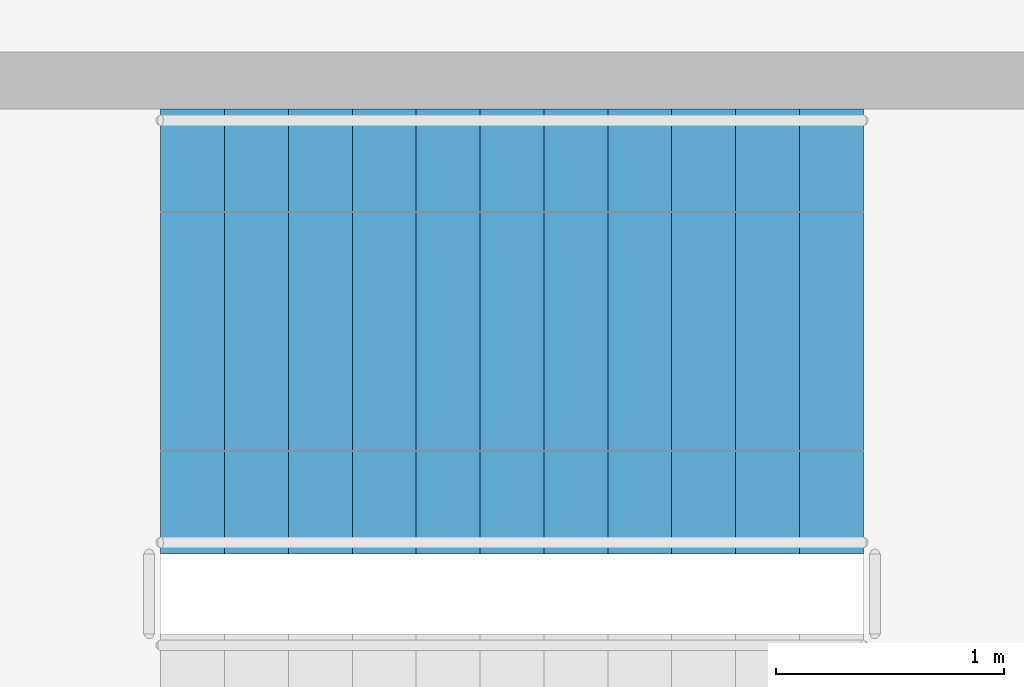
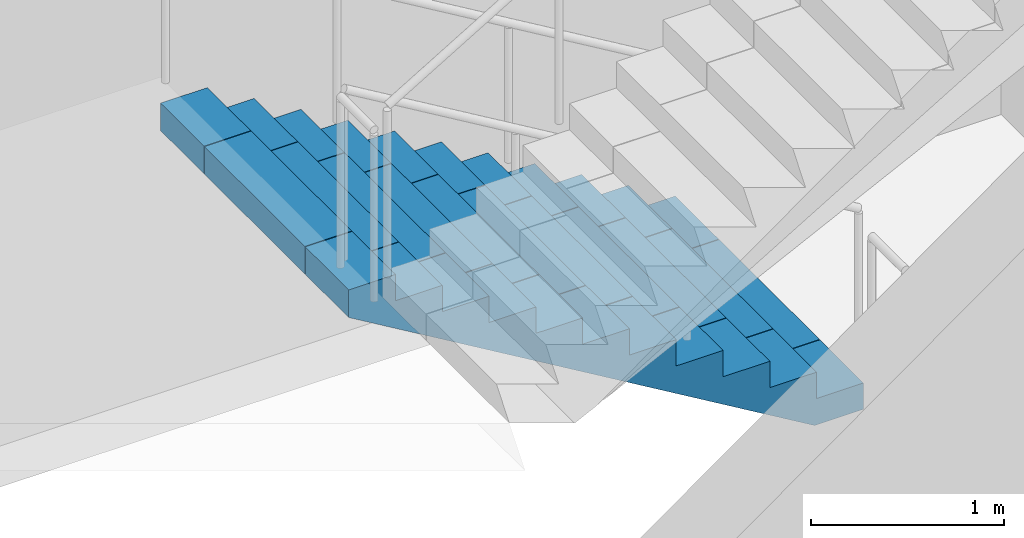
# One storey, part 12 of 13: 1 stair flight, 1 element without a shape of its own.
"""IFC4 building model written with IfcOpenShell, lengths in metres."""

import ifcopenshell
import ifcopenshell.guid

model = None  # the IFC model being written
_history = None  # IfcOwnerHistory: only IFC2X3 demands one
_inside = {}  # id of a spatial element -> (the spatial element, [elements in it])
_under = {}  # id of a project, library or spatial element -> (it, [spatial elements below it])
_declared = {}  # id of a project -> (the project, [libraries it declares])
_typed = {}  # id of a type object -> (the type object, [elements of that type])
_made_of = {}  # id of a material, layer set ... -> (it, [elements and type objects made of it])


def new_model(schema):
    """Start an empty IFC model of exactly this schema.

    Asked for "IFC4X3", IfcOpenShell would pick the latest addendum, in which some entities
    have other attributes; the version numbers below select the first issue.
    IFC2X3 requires an IfcOwnerHistory on every rooted entity: one is made here for all.
    """
    global model, _history
    if schema == "IFC4X3":
        model = ifcopenshell.file(schema_version=(4, 3, 0, 0))
    else:
        model = ifcopenshell.file(schema=schema)
    _inside.clear()
    _under.clear()
    _declared.clear()
    _typed.clear()
    _made_of.clear()
    _history = None
    if model.schema == "IFC2X3":
        org = make("IfcOrganization", Name="unknown")
        user = make(
            "IfcPersonAndOrganization",
            ThePerson=make("IfcPerson", FamilyName="unknown"),
            TheOrganization=org,
        )
        app = make(
            "IfcApplication",
            ApplicationDeveloper=org,
            Version="unknown",
            ApplicationFullName="unknown",
            ApplicationIdentifier="unknown",
        )
        _history = make(
            "IfcOwnerHistory",
            OwningUser=user,
            OwningApplication=app,
            ChangeAction="ADDED",
            CreationDate=0,
        )
    return model


def make(cls, **values):
    """One entity of the class cls with the attributes given. An attribute that is None is left unset."""
    return model.create_entity(
        cls, **{name: value for name, value in values.items() if value is not None}
    )


def rooted(cls, **values):
    """An entity with a GlobalId (a new one), such as an element, a storey or a relation."""
    return make(cls, GlobalId=ifcopenshell.guid.new(), OwnerHistory=_history, **values)


def si_unit(unit_type, name, prefix=None):
    """IfcSIUnit, for example si_unit("LENGTHUNIT", "METRE", prefix="MILLI")."""
    return make("IfcSIUnit", UnitType=unit_type, Prefix=prefix, Name=name)


def assignment(units):
    """IfcUnitAssignment: the units of a project."""
    return None if units is None else make("IfcUnitAssignment", Units=units)


def point(xyz):
    """IfcCartesianPoint."""
    return None if xyz is None else make("IfcCartesianPoint", Coordinates=xyz)


def direction(xyz):
    """IfcDirection."""
    return None if xyz is None else make("IfcDirection", DirectionRatios=xyz)


def frame(location, z_axis=None, x_axis=None):
    """IfcAxis2Placement3D, a coordinate frame: its origin and axes. An axis left out is left unset."""
    return make(
        "IfcAxis2Placement3D",
        Location=point(location),
        Axis=direction(z_axis),
        RefDirection=direction(x_axis),
    )


def origin():
    """The frame at (0, 0, 0) with its axes left unset."""
    return frame((0.0, 0.0, 0.0))


def place(relative_to, where):
    """IfcLocalPlacement: puts the frame where relative to a parent placement (None: the world)."""
    return make(
        "IfcLocalPlacement", PlacementRelTo=relative_to, RelativePlacement=where
    )


def context(
    kind, dimensions, precision=None, world=None, true_north=None, identifier=None
):
    """IfcGeometricRepresentationContext, for example the 3D "Model" context."""
    return make(
        "IfcGeometricRepresentationContext",
        ContextIdentifier=identifier,
        ContextType=kind,
        CoordinateSpaceDimension=dimensions,
        Precision=precision,
        WorldCoordinateSystem=world,
        TrueNorth=true_north,
    )


def subcontext(parent, identifier, kind, view, scale=None):
    """IfcGeometricRepresentationSubContext, for example "Body" below "Model"."""
    return make(
        "IfcGeometricRepresentationSubContext",
        ContextIdentifier=identifier,
        ContextType=kind,
        ParentContext=parent,
        TargetScale=scale,
        TargetView=view,
    )


def project(units=None, contexts=None):
    """IfcProject with its units and contexts."""
    return rooted(
        "IfcProject",
        Name="project",
        RepresentationContexts=contexts,
        UnitsInContext=assignment(units),
    )


def spatial(cls, under=None, at=None, **own):
    """A site, building, storey or space (cls), placed at a placement, below another one or the project."""
    s = rooted(cls, ObjectPlacement=at, **own)
    if under is not None:
        _under.setdefault(under.id(), (under, []))[1].append(s)
    return s


def polyline(points):
    """IfcPolyline through the points."""
    return make("IfcPolyline", Points=[point(p) for p in points])


def outline(outer, holes=None, kind="AREA"):
    """IfcArbitraryClosedProfileDef: a profile drawn as a closed curve; with holes, ...WithVoids."""
    if holes is None:
        return make("IfcArbitraryClosedProfileDef", ProfileType=kind, OuterCurve=outer)
    return make(
        "IfcArbitraryProfileDefWithVoids",
        ProfileType=kind,
        OuterCurve=outer,
        InnerCurves=holes,
    )


def extrude(swept, where, along, depth):
    """IfcExtrudedAreaSolid: the profile swept, set in the frame where, extruded along a direction by depth."""
    return make(
        "IfcExtrudedAreaSolid",
        SweptArea=swept,
        Position=where,
        ExtrudedDirection=direction(along),
        Depth=depth,
    )


def shape(context_of_items, identifier, shape_type, items):
    """IfcShapeRepresentation: the items that make up one representation, for example the "Body"."""
    return make(
        "IfcShapeRepresentation",
        ContextOfItems=context_of_items,
        RepresentationIdentifier=identifier,
        RepresentationType=shape_type,
        Items=items,
    )


def material(Name=None, Category=None):
    """IfcMaterial."""
    return make("IfcMaterial", Name=Name, Category=Category)


def made_of(thing, what):
    """Note that an element or type object is made of a material, layer set ...; save() writes the relation."""
    if what is not None:
        _made_of.setdefault(what.id(), (what, []))[1].append(thing)
    return thing


def type_object(cls, material=None, **own):
    """A type object (cls), such as IfcWallType, which elements share."""
    return made_of(rooted(cls, **own), material)


def element(
    cls,
    number,
    at=None,
    inside=None,
    cuts=None,
    type_object=None,
    material=None,
    context=None,
    identifier="Body",
    shape_type=None,
    held_by="IfcProductDefinitionShape",
    body=None,
    shapes=None,
    **own,
):
    """One element of the class cls, such as IfcWall. Its Tag is "e" and its number.

    at: its placement. inside: the storey or other place that contains it. cuts: it is an
    opening in that element (IfcRelVoidsElement). A single representation is given by context,
    identifier, shape_type and body (its items); several are given by shapes. held_by: the class
    of the entity that holds the representations. save() writes the other relations.
    """
    e = rooted(cls, Tag="e%d" % number, ObjectPlacement=at, **own)
    if body is not None:
        shapes = [shape(context, identifier, shape_type, body)]
    if shapes is not None:
        e.Representation = make(held_by, Representations=shapes)
    if inside is not None:
        _inside.setdefault(inside.id(), (inside, []))[1].append(e)
    if cuts is not None:
        rooted(
            "IfcRelVoidsElement", RelatingBuildingElement=cuts, RelatedOpeningElement=e
        )
    if type_object is not None:
        _typed.setdefault(type_object.id(), (type_object, []))[1].append(e)
    return made_of(e, material)


def aggregate(whole, parts):
    """IfcRelAggregates: a whole, such as a stair, and the parts it consists of."""
    return rooted("IfcRelAggregates", RelatingObject=whole, RelatedObjects=parts)


def save(model, path):
    """Write the relations noted so far, then the file.

    IfcRelAggregates (storeys below a building ...), IfcRelContainedInSpatialStructure (elements
    in a storey), IfcRelDefinesByType, IfcRelAssociatesMaterial and IfcRelDeclares: one each for
    every whole, place, type object, material and project.
    """
    for whole, parts in _under.values():
        aggregate(whole, parts)
    for where, things in _inside.values():
        rooted(
            "IfcRelContainedInSpatialStructure",
            RelatedElements=things,
            RelatingStructure=where,
        )
    for kind, things in _typed.values():
        rooted("IfcRelDefinesByType", RelatedObjects=things, RelatingType=kind)
    for what, things in _made_of.values():
        rooted("IfcRelAssociatesMaterial", RelatedObjects=things, RelatingMaterial=what)
    for by, libraries in _declared.values():
        rooted("IfcRelDeclares", RelatingContext=by, RelatedDefinitions=libraries)
    model.write(path)


model = new_model("IFC4")

# Units and contexts
model_context = context("Model", 3, precision=1e-05, world=origin(), true_north=direction((0.0, 1.0)))
body_context = subcontext(model_context, "Body", "Model", "MODEL_VIEW")
ifc_project = project(units=[si_unit("LENGTHUNIT", "METRE"), si_unit("AREAUNIT", "SQUARE_METRE"), si_unit("VOLUMEUNIT", "CUBIC_METRE"), si_unit("PLANEANGLEUNIT", "RADIAN"), si_unit("MASSUNIT", "GRAM", prefix="KILO")], contexts=[model_context])

# Site, building, storey
site_placement = place(None, origin())
site = spatial("IfcSite", under=ifc_project, at=site_placement, CompositionType="ELEMENT")
building_placement = place(site_placement, origin())
building = spatial("IfcBuilding", under=site, at=building_placement, Name="Corbelhall Arena Tower", CompositionType="ELEMENT")
storey_placement = place(building_placement, frame((0.0, 0.0, 330.0)))
storey = spatial("IfcBuildingStorey", under=building, at=storey_placement, Name="L72", CompositionType="ELEMENT", Elevation=330.0)

# Stair, stair flight
ifc_material = material(Name="Concrete C40/50", Category="concrete")
stair_type = type_object("IfcStairType", Name="IN-ST-TOWER", PredefinedType="HALF_TURN_STAIR", material=ifc_material)
stair_placement = place(storey_placement, origin())
stair = element("IfcStair", 1, at=stair_placement, inside=storey, type_object=stair_type, Name="L72 Exit stair ST3", PredefinedType="HALF_TURN_STAIR")
stair_flight_type = type_object("IfcStairFlightType", Name="IN-SFL-RC", PredefinedType="STRAIGHT", material=ifc_material)
stair_flight_placement = place(storey_placement, frame((11.425048828125, 15.699951171875, 0.0), z_axis=(0.0, 0.0, 1.0), x_axis=(-1.0, 0.0, 0.0)))
stair_flight = element("IfcStairFlight", 2, at=stair_flight_placement, type_object=stair_flight_type, Name="ST3 flight 1", NumberOfRisers=12, NumberOfTreads=11, PredefinedType="STRAIGHT", RiserHeight=0.166666667, TreadLength=0.28, context=body_context, shape_type="SweptSolid", body=[
    extrude(outline(polyline([(0.0, 0.0), (0.0, 0.166748046875), (0.280029296875, 0.166748046875), (0.280029296875, 0.333251953125), (0.56005859375, 0.333251953125), (0.56005859375, 0.5), (0.840087890625, 0.5), (0.840087890625, 0.666748046875), (1.1201171875, 0.666748046875), (1.1201171875, 0.833251953125), (1.39990234375, 0.833251953125), (1.39990234375, 1.0), (1.679931640625, 1.0), (1.679931640625, 1.166748046875), (1.9599609375, 1.166748046875), (1.9599609375, 1.333251953125), (2.239990234375, 1.333251953125), (2.239990234375, 1.5), (2.52001953125, 1.5), (2.52001953125, 1.666748046875), (2.800048828125, 1.666748046875), (2.800048828125, 1.833251953125), (3.080078125, 1.833251953125), (3.080078125, 2.0), (3.080078125, 1.658935546875), (0.29296875, 0.0), (0.0, 0.0)])), frame((0.0, 0.97509765625, 0.0), z_axis=(0.0, -1.0, 0.0), x_axis=(1.0, 0.0, 0.0)), (0.0, 0.0, 1.0), 0.449951171875),
    extrude(outline(polyline([(0.0, 0.0), (0.0, 0.166748046875), (0.280029296875, 0.166748046875), (0.280029296875, 0.333251953125), (0.56005859375, 0.333251953125), (0.56005859375, 0.5), (0.840087890625, 0.5), (0.840087890625, 0.666748046875), (1.1201171875, 0.666748046875), (1.1201171875, 0.833251953125), (1.39990234375, 0.833251953125), (1.39990234375, 1.0), (1.679931640625, 1.0), (1.679931640625, 1.166748046875), (1.9599609375, 1.166748046875), (1.9599609375, 1.333251953125), (2.239990234375, 1.333251953125), (2.239990234375, 1.5), (2.52001953125, 1.5), (2.52001953125, 1.666748046875), (2.800048828125, 1.666748046875), (2.800048828125, 1.833251953125), (3.080078125, 1.833251953125), (3.080078125, 2.0), (3.080078125, 1.658935546875), (0.29296875, 0.0), (0.0, 0.0)])), frame((0.0, 0.52099609375, 0.0), z_axis=(0.0, -1.0, 0.0), x_axis=(1.0, 0.0, 0.0)), (0.0, 0.0, 1.0), 1.0419921875),
    extrude(outline(polyline([(0.0, 0.0), (0.0, 0.166748046875), (0.280029296875, 0.166748046875), (0.280029296875, 0.333251953125), (0.56005859375, 0.333251953125), (0.56005859375, 0.5), (0.840087890625, 0.5), (0.840087890625, 0.666748046875), (1.1201171875, 0.666748046875), (1.1201171875, 0.833251953125), (1.39990234375, 0.833251953125), (1.39990234375, 1.0), (1.679931640625, 1.0), (1.679931640625, 1.166748046875), (1.9599609375, 1.166748046875), (1.9599609375, 1.333251953125), (2.239990234375, 1.333251953125), (2.239990234375, 1.5), (2.52001953125, 1.5), (2.52001953125, 1.666748046875), (2.800048828125, 1.666748046875), (2.800048828125, 1.833251953125), (3.080078125, 1.833251953125), (3.080078125, 2.0), (3.080078125, 1.658935546875), (0.29296875, 0.0), (0.0, 0.0)])), frame((0.0, -0.52490234375, 0.0), z_axis=(0.0, -1.0, 0.0), x_axis=(1.0, 0.0, 0.0)), (0.0, 0.0, 1.0), 0.449951171875),
])
aggregate(stair, [stair_flight])

save(model, "model.ifc")
